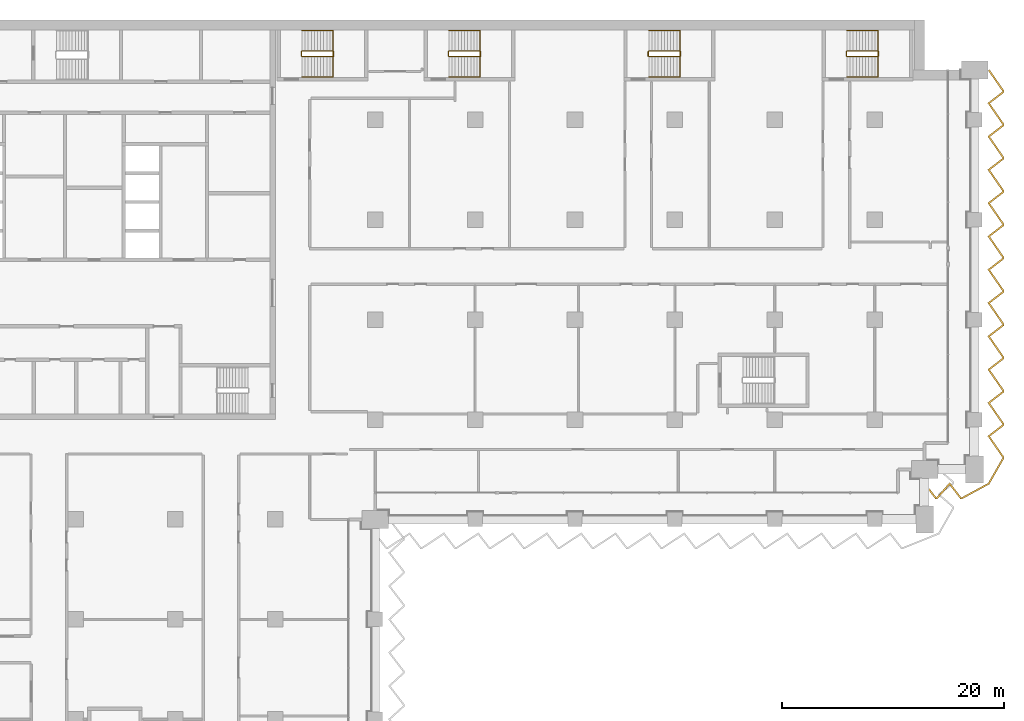
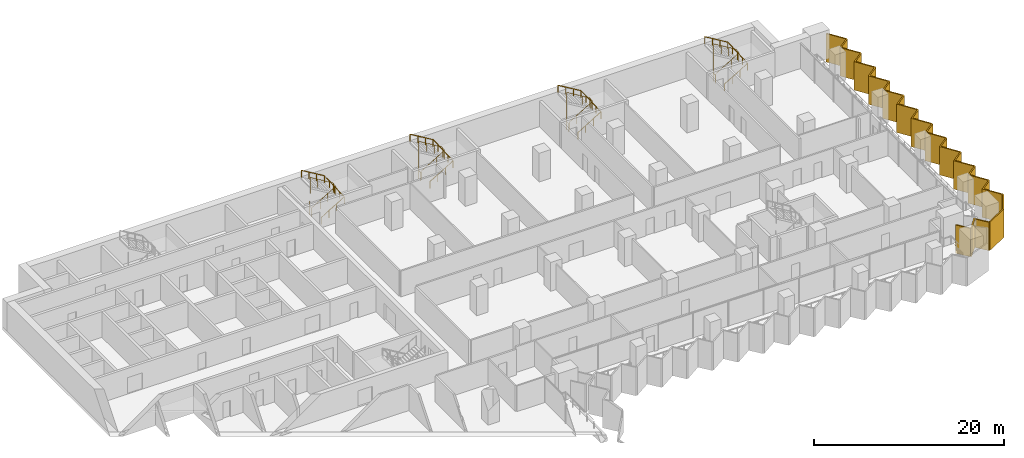
# One storey, part 28 of 29: 8 railings, 1 shading device.
"""IFC4 building model written with IfcOpenShell, lengths in metres."""

from ifc_helpers import new_model, si_unit, direction, frame, origin, origin_2d, place, context, subcontext, project, spatial, polyline, circle, outline, extrude, material, layer, layer_set, type_object, element, save


model = new_model("IFC4")

# Units and contexts
model_context = context("Model", 3, precision=1e-05, world=origin(), true_north=direction((0.0, 1.0)))
body_context = subcontext(model_context, "Body", "Model", "MODEL_VIEW")
ifc_project = project(units=[si_unit("LENGTHUNIT", "METRE"), si_unit("AREAUNIT", "SQUARE_METRE"), si_unit("VOLUMEUNIT", "CUBIC_METRE"), si_unit("PLANEANGLEUNIT", "RADIAN"), si_unit("MASSUNIT", "GRAM", prefix="KILO")], contexts=[model_context])

# Site, building, storey
site_placement = place(None, origin())
site = spatial("IfcSite", under=ifc_project, at=site_placement, CompositionType="ELEMENT")
building_placement = place(site_placement, origin())
building = spatial("IfcBuilding", under=site, at=building_placement, Name="Hunhe Ridgeline Campus", CompositionType="ELEMENT")
storey_placement = place(building_placement, frame((0.0, 0.0, 65.39990234375)))
storey = spatial("IfcBuildingStorey", under=building, at=storey_placement, Name="L15", CompositionType="ELEMENT", Elevation=65.39990234375)

# Shading device
ifc_material_1 = material(Name="Concrete C50", Category="concrete")
ifc_layer = layer(ifc_material_1, 0.14990234375)
ifc_layer_set = layer_set([ifc_layer], Name="Sawtooth concrete fin 150 Concrete C50")
shading_device_type = type_object("IfcShadingDeviceType", Name="Sawtooth concrete fin 150 Concrete C50", PredefinedType="USERDEFINED", material=ifc_layer_set)
shading_device_placement = place(storey_placement, frame((0.0, 0.0, -0.949951171875)))
element("IfcShadingDevice", 1, at=shading_device_placement, inside=storey, type_object=shading_device_type, Name="Concrete fin screen 3", ObjectType="FIN", PredefinedType="USERDEFINED", context=body_context, shape_type="SweptSolid", body=[
    extrude(outline(polyline([(94.559326171875, 57.270751953125), (94.440673828125, 57.17919921875), (95.465087890625, 55.85009765625), (95.65625, 55.85009765625), (96.74658203125, 57.106689453125), (97.715087890625, 55.85009765625), (97.89111328125, 55.85009765625), (100.32958984375, 57.169189453125), (101.64990234375, 59.482177734375), (101.64990234375, 59.6455078125), (100.377197265625, 61.484130859375), (101.64990234375, 62.465087890625), (101.64990234375, 62.6455078125), (100.377197265625, 64.484130859375), (101.64990234375, 65.465087890625), (101.64990234375, 65.6455078125), (100.377197265625, 67.484130859375), (101.64990234375, 68.465087890625), (101.64990234375, 68.6455078125), (100.377197265625, 70.484130859375), (101.64990234375, 71.465087890625), (101.64990234375, 71.6455078125), (100.377197265625, 73.484130859375), (101.64990234375, 74.465087890625), (101.64990234375, 74.6455078125), (100.377197265625, 76.484130859375), (101.64990234375, 77.465087890625), (101.64990234375, 77.6455078125), (100.377197265625, 79.484130859375), (101.64990234375, 80.465087890625), (101.64990234375, 80.6455078125), (100.377197265625, 82.484130859375), (101.64990234375, 83.465087890625), (101.64990234375, 83.6455078125), (100.377197265625, 85.484130859375), (101.64990234375, 86.465087890625), (101.64990234375, 86.6455078125), (100.377197265625, 88.484130859375), (101.64990234375, 89.465087890625), (101.64990234375, 89.6455078125), (100.377197265625, 91.484130859375), (101.64990234375, 92.465087890625), (101.64990234375, 92.6455078125), (100.336669921875, 94.542724609375), (100.21337890625, 94.457275390625), (101.5, 92.5986328125), (101.5, 92.538818359375), (100.1728515625, 91.515869140625), (101.5, 89.5986328125), (101.5, 89.538818359375), (100.1728515625, 88.515869140625), (101.5, 86.5986328125), (101.5, 86.538818359375), (100.1728515625, 85.515869140625), (101.5, 83.5986328125), (101.5, 83.538818359375), (100.1728515625, 82.515869140625), (101.5, 80.5986328125), (101.5, 80.538818359375), (100.1728515625, 79.515869140625), (101.5, 77.5986328125), (101.5, 77.538818359375), (100.1728515625, 76.515869140625), (101.5, 74.5986328125), (101.5, 74.538818359375), (100.1728515625, 73.515869140625), (101.5, 71.5986328125), (101.5, 71.538818359375), (100.1728515625, 70.515869140625), (101.5, 68.5986328125), (101.5, 68.538818359375), (100.1728515625, 67.515869140625), (101.5, 65.5986328125), (101.5, 65.538818359375), (100.1728515625, 64.515869140625), (101.5, 62.5986328125), (101.5, 62.538818359375), (100.1728515625, 61.515869140625), (101.5, 59.5986328125), (101.5, 59.52197265625), (100.220458984375, 57.28076171875), (97.85302734375, 56.0), (97.788818359375, 56.0), (96.75341796875, 57.343505859375), (95.587890625, 56.0), (95.538818359375, 56.0), (94.559326171875, 57.270751953125)])), origin(), (0.0, 0.0, 1.0), 3.650146484375),
])

# Railings
ifc_material_2 = material(Name="Stainless steel balustrade", Category="steel")
railing_type_1 = type_object("IfcRailingType", Name="Stair guard 1100 stainless", PredefinedType="GUARDRAIL", material=ifc_material_2)
railing_1_placement = place(storey_placement, frame((38.39990234375, 95.699951171875, 0.168212890625)))
element("IfcRailing", 2, at=railing_1_placement, inside=storey, type_object=railing_type_1, Name="L15 stair E1 guard", PredefinedType="GUARDRAIL", context=body_context, shape_type="SweptSolid", body=[
    extrude(circle(Radius=0.02392578125, at=origin_2d()), frame((0.0, 0.0, 1.076171875), z_axis=(0.857242210791, 0.0, 0.514913383045), x_axis=(0.0, 1.0, 0.0)), (0.0, 0.0, 1.0), 3.266357421875),
    extrude(circle(Radius=0.02392578125, at=origin_2d()), frame((2.800048828125, 0.0, 2.7578125), z_axis=(0.707106781187, 0.707106781187, 0.0), x_axis=(-0.707106781187, 0.707106781187, 0.0)), (0.0, 0.0, 1.0), 0.07080078125),
    extrude(circle(Radius=0.02392578125, at=origin_2d()), frame((2.85009765625, 0.050048828125, 2.7578125), z_axis=(0.0, 1.0, 0.0), x_axis=(-1.0, 0.0, 0.0)), (0.0, 0.0, 1.0), 0.39990234375),
    extrude(circle(Radius=0.02392578125, at=origin_2d()), frame((2.85009765625, 0.449951171875, 2.7578125), z_axis=(-0.274243871929, 0.274243871929, 0.92172696468), x_axis=(-0.707106781187, -0.707106781187, 0.0)), (0.0, 0.0, 1.0), 0.1826171875),
    extrude(circle(Radius=0.02392578125, at=origin_2d()), frame((2.800048828125, 0.5, 2.92626953125), z_axis=(-0.857242210791, 0.0, 0.514913383045), x_axis=(0.0, -1.0, 0.0)), (0.0, 0.0, 1.0), 3.266357421875),
    extrude(circle(Radius=0.02392578125, at=origin_2d()), frame((0.0, 0.5, 4.60791015625), z_axis=(-0.013457565943, -0.013523534403, -0.999817987404), x_axis=(0.708833529934, -0.705375805398, 0.0)), (0.0, 0.0, 1.0), 3.700927734375),
    extrude(circle(Radius=0.02392578125, at=origin_2d()), frame((-0.0498046875, 0.449951171875, 0.90771484375), z_axis=(0.0, -1.0, 0.0), x_axis=(1.0, 0.0, 0.0)), (0.0, 0.0, 1.0), 0.39990234375),
    extrude(circle(Radius=0.02099609375, at=origin_2d()), origin(), (0.0, 0.0, 1.0), 1.052001953125),
    extrude(circle(Radius=0.02099609375, at=origin_2d()), frame((0.933349609375, 0.0, 0.560546875)), (0.0, 0.0, 1.0), 1.052001953125),
    extrude(circle(Radius=0.02099609375, at=origin_2d()), frame((1.86669921875, 0.0, 1.121337890625)), (0.0, 0.0, 1.0), 1.052001953125),
    extrude(circle(Radius=0.02099609375, at=origin_2d()), frame((2.800048828125, 0.0, 1.681884765625)), (0.0, 0.0, 1.0), 1.052001953125),
    extrude(circle(Radius=0.02099609375, at=origin_2d()), frame((2.85009765625, 0.050048828125, 1.681884765625)), (0.0, 0.0, 1.0), 1.052001953125),
    extrude(circle(Radius=0.02099609375, at=origin_2d()), frame((2.85009765625, 0.449951171875, 1.681884765625)), (0.0, 0.0, 1.0), 1.052001953125),
    extrude(circle(Radius=0.02099609375, at=origin_2d()), frame((2.800048828125, 0.5, 1.85009765625)), (0.0, 0.0, 1.0), 1.052001953125),
    extrude(circle(Radius=0.02099609375, at=origin_2d()), frame((1.86669921875, 0.5, 2.41064453125)), (0.0, 0.0, 1.0), 1.052001953125),
    extrude(circle(Radius=0.02099609375, at=origin_2d()), frame((0.933349609375, 0.5, 2.971435546875)), (0.0, 0.0, 1.0), 1.052001953125),
    extrude(circle(Radius=0.02099609375, at=origin_2d()), frame((0.0, 0.5, 3.531982421875)), (0.0, 0.0, 1.0), 1.052001953125),
    extrude(circle(Radius=0.02099609375, at=origin_2d()), frame((-0.012451171875, 0.487548828125, 2.60693359375)), (0.0, 0.0, 1.0), 1.052001953125),
    extrude(circle(Radius=0.02099609375, at=origin_2d()), frame((-0.02490234375, 0.47509765625, 1.681884765625)), (0.0, 0.0, 1.0), 1.052001953125),
    extrude(circle(Radius=0.02099609375, at=origin_2d()), frame((-0.037353515625, 0.46240234375, 0.7568359375)), (0.0, 0.0, 1.0), 1.052001953125),
    extrude(circle(Radius=0.02099609375, at=origin_2d()), frame((-0.0498046875, 0.449951171875, -0.168212890625)), (0.0, 0.0, 1.0), 1.052001953125),
    extrude(circle(Radius=0.02099609375, at=origin_2d()), frame((-0.0498046875, 0.050048828125, -0.168212890625)), (0.0, 0.0, 1.0), 1.052001953125),
])
railing_2_placement = place(storey_placement, frame((51.64990234375, 95.699951171875, 0.168212890625)))
element("IfcRailing", 3, at=railing_2_placement, inside=storey, type_object=railing_type_1, Name="L15 stair E2 guard", PredefinedType="GUARDRAIL", context=body_context, shape_type="SweptSolid", body=[
    extrude(circle(Radius=0.02392578125, at=origin_2d()), frame((0.0, 0.0, 1.076171875), z_axis=(0.857242210791, 0.0, 0.514913383045), x_axis=(0.0, 1.0, 0.0)), (0.0, 0.0, 1.0), 3.266357421875),
    extrude(circle(Radius=0.02392578125, at=origin_2d()), frame((2.800048828125, 0.0, 2.7578125), z_axis=(0.707106781187, 0.707106781187, 0.0), x_axis=(-0.707106781187, 0.707106781187, 0.0)), (0.0, 0.0, 1.0), 0.07080078125),
    extrude(circle(Radius=0.02392578125, at=origin_2d()), frame((2.85009765625, 0.050048828125, 2.7578125), z_axis=(0.0, 1.0, 0.0), x_axis=(-1.0, 0.0, 0.0)), (0.0, 0.0, 1.0), 0.39990234375),
    extrude(circle(Radius=0.02392578125, at=origin_2d()), frame((2.85009765625, 0.449951171875, 2.7578125), z_axis=(-0.274243871929, 0.274243871929, 0.92172696468), x_axis=(-0.707106781187, -0.707106781187, 0.0)), (0.0, 0.0, 1.0), 0.1826171875),
    extrude(circle(Radius=0.02392578125, at=origin_2d()), frame((2.800048828125, 0.5, 2.92626953125), z_axis=(-0.857242210791, 0.0, 0.514913383045), x_axis=(0.0, -1.0, 0.0)), (0.0, 0.0, 1.0), 3.266357421875),
    extrude(circle(Radius=0.02392578125, at=origin_2d()), frame((0.0, 0.5, 4.60791015625), z_axis=(-0.013457565943, -0.013523534403, -0.999817987404), x_axis=(0.708833529934, -0.705375805398, 0.0)), (0.0, 0.0, 1.0), 3.700927734375),
    extrude(circle(Radius=0.02392578125, at=origin_2d()), frame((-0.0498046875, 0.449951171875, 0.90771484375), z_axis=(0.0, -1.0, 0.0), x_axis=(1.0, 0.0, 0.0)), (0.0, 0.0, 1.0), 0.39990234375),
    extrude(circle(Radius=0.02099609375, at=origin_2d()), origin(), (0.0, 0.0, 1.0), 1.052001953125),
    extrude(circle(Radius=0.02099609375, at=origin_2d()), frame((0.933349609375, 0.0, 0.560546875)), (0.0, 0.0, 1.0), 1.052001953125),
    extrude(circle(Radius=0.02099609375, at=origin_2d()), frame((1.86669921875, 0.0, 1.121337890625)), (0.0, 0.0, 1.0), 1.052001953125),
    extrude(circle(Radius=0.02099609375, at=origin_2d()), frame((2.800048828125, 0.0, 1.681884765625)), (0.0, 0.0, 1.0), 1.052001953125),
    extrude(circle(Radius=0.02099609375, at=origin_2d()), frame((2.85009765625, 0.050048828125, 1.681884765625)), (0.0, 0.0, 1.0), 1.052001953125),
    extrude(circle(Radius=0.02099609375, at=origin_2d()), frame((2.85009765625, 0.449951171875, 1.681884765625)), (0.0, 0.0, 1.0), 1.052001953125),
    extrude(circle(Radius=0.02099609375, at=origin_2d()), frame((2.800048828125, 0.5, 1.85009765625)), (0.0, 0.0, 1.0), 1.052001953125),
    extrude(circle(Radius=0.02099609375, at=origin_2d()), frame((1.86669921875, 0.5, 2.41064453125)), (0.0, 0.0, 1.0), 1.052001953125),
    extrude(circle(Radius=0.02099609375, at=origin_2d()), frame((0.933349609375, 0.5, 2.971435546875)), (0.0, 0.0, 1.0), 1.052001953125),
    extrude(circle(Radius=0.02099609375, at=origin_2d()), frame((0.0, 0.5, 3.531982421875)), (0.0, 0.0, 1.0), 1.052001953125),
    extrude(circle(Radius=0.02099609375, at=origin_2d()), frame((-0.012451171875, 0.487548828125, 2.60693359375)), (0.0, 0.0, 1.0), 1.052001953125),
    extrude(circle(Radius=0.02099609375, at=origin_2d()), frame((-0.02490234375, 0.47509765625, 1.681884765625)), (0.0, 0.0, 1.0), 1.052001953125),
    extrude(circle(Radius=0.02099609375, at=origin_2d()), frame((-0.037353515625, 0.46240234375, 0.7568359375)), (0.0, 0.0, 1.0), 1.052001953125),
    extrude(circle(Radius=0.02099609375, at=origin_2d()), frame((-0.0498046875, 0.449951171875, -0.168212890625)), (0.0, 0.0, 1.0), 1.052001953125),
    extrude(circle(Radius=0.02099609375, at=origin_2d()), frame((-0.0498046875, 0.050048828125, -0.168212890625)), (0.0, 0.0, 1.0), 1.052001953125),
])
railing_3_placement = place(storey_placement, frame((69.64990234375, 95.699951171875, 0.168212890625)))
element("IfcRailing", 4, at=railing_3_placement, inside=storey, type_object=railing_type_1, Name="L15 stair E3 guard", PredefinedType="GUARDRAIL", context=body_context, shape_type="SweptSolid", body=[
    extrude(circle(Radius=0.02392578125, at=origin_2d()), frame((0.0, 0.0, 1.076171875), z_axis=(0.857242210791, 0.0, 0.514913383045), x_axis=(0.0, 1.0, 0.0)), (0.0, 0.0, 1.0), 3.266357421875),
    extrude(circle(Radius=0.02392578125, at=origin_2d()), frame((2.800048828125, 0.0, 2.7578125), z_axis=(0.707106781187, 0.707106781187, 0.0), x_axis=(-0.707106781187, 0.707106781187, 0.0)), (0.0, 0.0, 1.0), 0.07080078125),
    extrude(circle(Radius=0.02392578125, at=origin_2d()), frame((2.85009765625, 0.050048828125, 2.7578125), z_axis=(0.0, 1.0, 0.0), x_axis=(-1.0, 0.0, 0.0)), (0.0, 0.0, 1.0), 0.39990234375),
    extrude(circle(Radius=0.02392578125, at=origin_2d()), frame((2.85009765625, 0.449951171875, 2.7578125), z_axis=(-0.274243871929, 0.274243871929, 0.92172696468), x_axis=(-0.707106781187, -0.707106781187, 0.0)), (0.0, 0.0, 1.0), 0.1826171875),
    extrude(circle(Radius=0.02392578125, at=origin_2d()), frame((2.800048828125, 0.5, 2.92626953125), z_axis=(-0.857242210791, 0.0, 0.514913383045), x_axis=(0.0, -1.0, 0.0)), (0.0, 0.0, 1.0), 3.266357421875),
    extrude(circle(Radius=0.02392578125, at=origin_2d()), frame((0.0, 0.5, 4.60791015625), z_axis=(-0.013457565943, -0.013523534403, -0.999817987404), x_axis=(0.708833529934, -0.705375805398, 0.0)), (0.0, 0.0, 1.0), 3.700927734375),
    extrude(circle(Radius=0.02392578125, at=origin_2d()), frame((-0.0498046875, 0.449951171875, 0.90771484375), z_axis=(0.0, -1.0, 0.0), x_axis=(1.0, 0.0, 0.0)), (0.0, 0.0, 1.0), 0.39990234375),
    extrude(circle(Radius=0.02099609375, at=origin_2d()), origin(), (0.0, 0.0, 1.0), 1.052001953125),
    extrude(circle(Radius=0.02099609375, at=origin_2d()), frame((0.933349609375, 0.0, 0.560546875)), (0.0, 0.0, 1.0), 1.052001953125),
    extrude(circle(Radius=0.02099609375, at=origin_2d()), frame((1.86669921875, 0.0, 1.121337890625)), (0.0, 0.0, 1.0), 1.052001953125),
    extrude(circle(Radius=0.02099609375, at=origin_2d()), frame((2.800048828125, 0.0, 1.681884765625)), (0.0, 0.0, 1.0), 1.052001953125),
    extrude(circle(Radius=0.02099609375, at=origin_2d()), frame((2.85009765625, 0.050048828125, 1.681884765625)), (0.0, 0.0, 1.0), 1.052001953125),
    extrude(circle(Radius=0.02099609375, at=origin_2d()), frame((2.85009765625, 0.449951171875, 1.681884765625)), (0.0, 0.0, 1.0), 1.052001953125),
    extrude(circle(Radius=0.02099609375, at=origin_2d()), frame((2.800048828125, 0.5, 1.85009765625)), (0.0, 0.0, 1.0), 1.052001953125),
    extrude(circle(Radius=0.02099609375, at=origin_2d()), frame((1.86669921875, 0.5, 2.41064453125)), (0.0, 0.0, 1.0), 1.052001953125),
    extrude(circle(Radius=0.02099609375, at=origin_2d()), frame((0.933349609375, 0.5, 2.971435546875)), (0.0, 0.0, 1.0), 1.052001953125),
    extrude(circle(Radius=0.02099609375, at=origin_2d()), frame((0.0, 0.5, 3.531982421875)), (0.0, 0.0, 1.0), 1.052001953125),
    extrude(circle(Radius=0.02099609375, at=origin_2d()), frame((-0.012451171875, 0.487548828125, 2.60693359375)), (0.0, 0.0, 1.0), 1.052001953125),
    extrude(circle(Radius=0.02099609375, at=origin_2d()), frame((-0.02490234375, 0.47509765625, 1.681884765625)), (0.0, 0.0, 1.0), 1.052001953125),
    extrude(circle(Radius=0.02099609375, at=origin_2d()), frame((-0.037353515625, 0.46240234375, 0.7568359375)), (0.0, 0.0, 1.0), 1.052001953125),
    extrude(circle(Radius=0.02099609375, at=origin_2d()), frame((-0.0498046875, 0.449951171875, -0.168212890625)), (0.0, 0.0, 1.0), 1.052001953125),
    extrude(circle(Radius=0.02099609375, at=origin_2d()), frame((-0.0498046875, 0.050048828125, -0.168212890625)), (0.0, 0.0, 1.0), 1.052001953125),
])
railing_4_placement = place(storey_placement, frame((87.5, 95.699951171875, 0.168212890625)))
element("IfcRailing", 5, at=railing_4_placement, inside=storey, type_object=railing_type_1, Name="L15 stair E4 guard", PredefinedType="GUARDRAIL", context=body_context, shape_type="SweptSolid", body=[
    extrude(circle(Radius=0.02392578125, at=origin_2d()), frame((0.0, 0.0, 1.076171875), z_axis=(0.857242210791, 0.0, 0.514913383045), x_axis=(0.0, 1.0, 0.0)), (0.0, 0.0, 1.0), 3.266357421875),
    extrude(circle(Radius=0.02392578125, at=origin_2d()), frame((2.800048828125, 0.0, 2.7578125), z_axis=(0.707106781187, 0.707106781187, 0.0), x_axis=(-0.707106781187, 0.707106781187, 0.0)), (0.0, 0.0, 1.0), 0.07080078125),
    extrude(circle(Radius=0.02392578125, at=origin_2d()), frame((2.85009765625, 0.050048828125, 2.7578125), z_axis=(0.0, 1.0, 0.0), x_axis=(-1.0, 0.0, 0.0)), (0.0, 0.0, 1.0), 0.39990234375),
    extrude(circle(Radius=0.02392578125, at=origin_2d()), frame((2.85009765625, 0.449951171875, 2.7578125), z_axis=(-0.274243871929, 0.274243871929, 0.92172696468), x_axis=(-0.707106781187, -0.707106781187, 0.0)), (0.0, 0.0, 1.0), 0.1826171875),
    extrude(circle(Radius=0.02392578125, at=origin_2d()), frame((2.800048828125, 0.5, 2.92626953125), z_axis=(-0.857242210791, 0.0, 0.514913383045), x_axis=(0.0, -1.0, 0.0)), (0.0, 0.0, 1.0), 3.266357421875),
    extrude(circle(Radius=0.02392578125, at=origin_2d()), frame((0.0, 0.5, 4.60791015625), z_axis=(-0.013523522368, -0.013523522368, -0.999817097616), x_axis=(0.707106781187, -0.707106781187, 0.0)), (0.0, 0.0, 1.0), 3.700927734375),
    extrude(circle(Radius=0.02392578125, at=origin_2d()), frame((-0.050048828125, 0.449951171875, 0.90771484375), z_axis=(0.0, -1.0, 0.0), x_axis=(1.0, 0.0, 0.0)), (0.0, 0.0, 1.0), 0.39990234375),
    extrude(circle(Radius=0.02099609375, at=origin_2d()), origin(), (0.0, 0.0, 1.0), 1.052001953125),
    extrude(circle(Radius=0.02099609375, at=origin_2d()), frame((0.933349609375, 0.0, 0.560546875)), (0.0, 0.0, 1.0), 1.052001953125),
    extrude(circle(Radius=0.02099609375, at=origin_2d()), frame((1.86669921875, 0.0, 1.121337890625)), (0.0, 0.0, 1.0), 1.052001953125),
    extrude(circle(Radius=0.02099609375, at=origin_2d()), frame((2.800048828125, 0.0, 1.681884765625)), (0.0, 0.0, 1.0), 1.052001953125),
    extrude(circle(Radius=0.02099609375, at=origin_2d()), frame((2.85009765625, 0.050048828125, 1.681884765625)), (0.0, 0.0, 1.0), 1.052001953125),
    extrude(circle(Radius=0.02099609375, at=origin_2d()), frame((2.85009765625, 0.449951171875, 1.681884765625)), (0.0, 0.0, 1.0), 1.052001953125),
    extrude(circle(Radius=0.02099609375, at=origin_2d()), frame((2.800048828125, 0.5, 1.85009765625)), (0.0, 0.0, 1.0), 1.052001953125),
    extrude(circle(Radius=0.02099609375, at=origin_2d()), frame((1.86669921875, 0.5, 2.41064453125)), (0.0, 0.0, 1.0), 1.052001953125),
    extrude(circle(Radius=0.02099609375, at=origin_2d()), frame((0.933349609375, 0.5, 2.971435546875)), (0.0, 0.0, 1.0), 1.052001953125),
    extrude(circle(Radius=0.02099609375, at=origin_2d()), frame((0.0, 0.5, 3.531982421875)), (0.0, 0.0, 1.0), 1.052001953125),
    extrude(circle(Radius=0.02099609375, at=origin_2d()), frame((-0.012451171875, 0.487548828125, 2.60693359375)), (0.0, 0.0, 1.0), 1.052001953125),
    extrude(circle(Radius=0.02099609375, at=origin_2d()), frame((-0.02490234375, 0.47509765625, 1.681884765625)), (0.0, 0.0, 1.0), 1.052001953125),
    extrude(circle(Radius=0.02099609375, at=origin_2d()), frame((-0.03759765625, 0.46240234375, 0.7568359375)), (0.0, 0.0, 1.0), 1.052001953125),
    extrude(circle(Radius=0.02099609375, at=origin_2d()), frame((-0.050048828125, 0.449951171875, -0.168212890625)), (0.0, 0.0, 1.0), 1.052001953125),
    extrude(circle(Radius=0.02099609375, at=origin_2d()), frame((-0.050048828125, 0.050048828125, -0.168212890625)), (0.0, 0.0, 1.0), 1.052001953125),
])
ifc_material_3 = material(Name="Stainless steel handrail", Category="steel")
railing_type_2 = type_object("IfcRailingType", Name="Stair handrail 900 stainless", PredefinedType="HANDRAIL", material=ifc_material_3)
railing_5_placement = place(storey_placement, frame((38.39990234375, 93.85009765625, 0.168212890625)))
element("IfcRailing", 6, at=railing_5_placement, inside=storey, type_object=railing_type_2, Name="L15 stair E1 handrail", PredefinedType="HANDRAIL", context=body_context, shape_type="SweptSolid", body=[
    extrude(circle(Radius=0.02392578125, at=origin_2d()), frame((0.0, 0.0, 0.8759765625), z_axis=(0.857242210791, 0.0, 0.514913383045), x_axis=(0.0, 1.0, 0.0)), (0.0, 0.0, 1.0), 3.266357421875),
    extrude(circle(Radius=0.02392578125, at=origin_2d()), frame((2.800048828125, 0.0, 2.5576171875), z_axis=(0.0, 0.999198916169, 0.040019069537), x_axis=(-1.0, 0.0, 0.0)), (0.0, 0.0, 1.0), 4.203369140625),
    extrude(circle(Radius=0.02392578125, at=origin_2d()), frame((2.800048828125, 4.199951171875, 2.72607421875), z_axis=(-0.857242210791, 0.0, 0.514913383045), x_axis=(0.0, -1.0, 0.0)), (0.0, 0.0, 1.0), 3.266357421875),
    extrude(circle(Radius=0.02099609375, at=origin_2d()), origin(), (0.0, 0.0, 1.0), 0.851806640625),
    extrude(circle(Radius=0.02099609375, at=origin_2d()), frame((0.933349609375, 0.0, 0.560546875)), (0.0, 0.0, 1.0), 0.851806640625),
    extrude(circle(Radius=0.02099609375, at=origin_2d()), frame((1.86669921875, 0.0, 1.121337890625)), (0.0, 0.0, 1.0), 0.851806640625),
    extrude(circle(Radius=0.02099609375, at=origin_2d()), frame((2.800048828125, 0.0, 1.681884765625)), (0.0, 0.0, 1.0), 0.851806640625),
    extrude(circle(Radius=0.02099609375, at=origin_2d()), frame((2.800048828125, 1.050048828125, 1.723876953125)), (0.0, 0.0, 1.0), 0.851806640625),
    extrude(circle(Radius=0.02099609375, at=origin_2d()), frame((2.800048828125, 2.10009765625, 1.76611328125)), (0.0, 0.0, 1.0), 0.851806640625),
    extrude(circle(Radius=0.02099609375, at=origin_2d()), frame((2.800048828125, 3.14990234375, 1.80810546875)), (0.0, 0.0, 1.0), 0.851806640625),
    extrude(circle(Radius=0.02099609375, at=origin_2d()), frame((2.800048828125, 4.199951171875, 1.85009765625)), (0.0, 0.0, 1.0), 0.851806640625),
    extrude(circle(Radius=0.02099609375, at=origin_2d()), frame((1.86669921875, 4.199951171875, 2.41064453125)), (0.0, 0.0, 1.0), 0.851806640625),
    extrude(circle(Radius=0.02099609375, at=origin_2d()), frame((0.933349609375, 4.199951171875, 2.971435546875)), (0.0, 0.0, 1.0), 0.851806640625),
    extrude(circle(Radius=0.02099609375, at=origin_2d()), frame((0.0, 4.199951171875, 3.531982421875)), (0.0, 0.0, 1.0), 0.851806640625),
])
railing_6_placement = place(storey_placement, frame((51.64990234375, 93.85009765625, 0.168212890625)))
element("IfcRailing", 7, at=railing_6_placement, inside=storey, type_object=railing_type_2, Name="L15 stair E2 handrail", PredefinedType="HANDRAIL", context=body_context, shape_type="SweptSolid", body=[
    extrude(circle(Radius=0.02392578125, at=origin_2d()), frame((0.0, 0.0, 0.8759765625), z_axis=(0.857242210791, 0.0, 0.514913383045), x_axis=(0.0, 1.0, 0.0)), (0.0, 0.0, 1.0), 3.266357421875),
    extrude(circle(Radius=0.02392578125, at=origin_2d()), frame((2.800048828125, 0.0, 2.5576171875), z_axis=(0.0, 0.999198916169, 0.040019069537), x_axis=(-1.0, 0.0, 0.0)), (0.0, 0.0, 1.0), 4.203369140625),
    extrude(circle(Radius=0.02392578125, at=origin_2d()), frame((2.800048828125, 4.199951171875, 2.72607421875), z_axis=(-0.857242210791, 0.0, 0.514913383045), x_axis=(0.0, -1.0, 0.0)), (0.0, 0.0, 1.0), 3.266357421875),
    extrude(circle(Radius=0.02099609375, at=origin_2d()), origin(), (0.0, 0.0, 1.0), 0.851806640625),
    extrude(circle(Radius=0.02099609375, at=origin_2d()), frame((0.933349609375, 0.0, 0.560546875)), (0.0, 0.0, 1.0), 0.851806640625),
    extrude(circle(Radius=0.02099609375, at=origin_2d()), frame((1.86669921875, 0.0, 1.121337890625)), (0.0, 0.0, 1.0), 0.851806640625),
    extrude(circle(Radius=0.02099609375, at=origin_2d()), frame((2.800048828125, 0.0, 1.681884765625)), (0.0, 0.0, 1.0), 0.851806640625),
    extrude(circle(Radius=0.02099609375, at=origin_2d()), frame((2.800048828125, 1.050048828125, 1.723876953125)), (0.0, 0.0, 1.0), 0.851806640625),
    extrude(circle(Radius=0.02099609375, at=origin_2d()), frame((2.800048828125, 2.10009765625, 1.76611328125)), (0.0, 0.0, 1.0), 0.851806640625),
    extrude(circle(Radius=0.02099609375, at=origin_2d()), frame((2.800048828125, 3.14990234375, 1.80810546875)), (0.0, 0.0, 1.0), 0.851806640625),
    extrude(circle(Radius=0.02099609375, at=origin_2d()), frame((2.800048828125, 4.199951171875, 1.85009765625)), (0.0, 0.0, 1.0), 0.851806640625),
    extrude(circle(Radius=0.02099609375, at=origin_2d()), frame((1.86669921875, 4.199951171875, 2.41064453125)), (0.0, 0.0, 1.0), 0.851806640625),
    extrude(circle(Radius=0.02099609375, at=origin_2d()), frame((0.933349609375, 4.199951171875, 2.971435546875)), (0.0, 0.0, 1.0), 0.851806640625),
    extrude(circle(Radius=0.02099609375, at=origin_2d()), frame((0.0, 4.199951171875, 3.531982421875)), (0.0, 0.0, 1.0), 0.851806640625),
])
railing_7_placement = place(storey_placement, frame((69.64990234375, 93.85009765625, 0.168212890625)))
element("IfcRailing", 8, at=railing_7_placement, inside=storey, type_object=railing_type_2, Name="L15 stair E3 handrail", PredefinedType="HANDRAIL", context=body_context, shape_type="SweptSolid", body=[
    extrude(circle(Radius=0.02392578125, at=origin_2d()), frame((0.0, 0.0, 0.8759765625), z_axis=(0.857242210791, 0.0, 0.514913383045), x_axis=(0.0, 1.0, 0.0)), (0.0, 0.0, 1.0), 3.266357421875),
    extrude(circle(Radius=0.02392578125, at=origin_2d()), frame((2.800048828125, 0.0, 2.5576171875), z_axis=(0.0, 0.999198916169, 0.040019069537), x_axis=(-1.0, 0.0, 0.0)), (0.0, 0.0, 1.0), 4.203369140625),
    extrude(circle(Radius=0.02392578125, at=origin_2d()), frame((2.800048828125, 4.199951171875, 2.72607421875), z_axis=(-0.857242210791, 0.0, 0.514913383045), x_axis=(0.0, -1.0, 0.0)), (0.0, 0.0, 1.0), 3.266357421875),
    extrude(circle(Radius=0.02099609375, at=origin_2d()), origin(), (0.0, 0.0, 1.0), 0.851806640625),
    extrude(circle(Radius=0.02099609375, at=origin_2d()), frame((0.933349609375, 0.0, 0.560546875)), (0.0, 0.0, 1.0), 0.851806640625),
    extrude(circle(Radius=0.02099609375, at=origin_2d()), frame((1.86669921875, 0.0, 1.121337890625)), (0.0, 0.0, 1.0), 0.851806640625),
    extrude(circle(Radius=0.02099609375, at=origin_2d()), frame((2.800048828125, 0.0, 1.681884765625)), (0.0, 0.0, 1.0), 0.851806640625),
    extrude(circle(Radius=0.02099609375, at=origin_2d()), frame((2.800048828125, 1.050048828125, 1.723876953125)), (0.0, 0.0, 1.0), 0.851806640625),
    extrude(circle(Radius=0.02099609375, at=origin_2d()), frame((2.800048828125, 2.10009765625, 1.76611328125)), (0.0, 0.0, 1.0), 0.851806640625),
    extrude(circle(Radius=0.02099609375, at=origin_2d()), frame((2.800048828125, 3.14990234375, 1.80810546875)), (0.0, 0.0, 1.0), 0.851806640625),
    extrude(circle(Radius=0.02099609375, at=origin_2d()), frame((2.800048828125, 4.199951171875, 1.85009765625)), (0.0, 0.0, 1.0), 0.851806640625),
    extrude(circle(Radius=0.02099609375, at=origin_2d()), frame((1.86669921875, 4.199951171875, 2.41064453125)), (0.0, 0.0, 1.0), 0.851806640625),
    extrude(circle(Radius=0.02099609375, at=origin_2d()), frame((0.933349609375, 4.199951171875, 2.971435546875)), (0.0, 0.0, 1.0), 0.851806640625),
    extrude(circle(Radius=0.02099609375, at=origin_2d()), frame((0.0, 4.199951171875, 3.531982421875)), (0.0, 0.0, 1.0), 0.851806640625),
])
railing_8_placement = place(storey_placement, frame((87.5, 93.85009765625, 0.168212890625)))
element("IfcRailing", 9, at=railing_8_placement, inside=storey, type_object=railing_type_2, Name="L15 stair E4 handrail", PredefinedType="HANDRAIL", context=body_context, shape_type="SweptSolid", body=[
    extrude(circle(Radius=0.02392578125, at=origin_2d()), frame((0.0, 0.0, 0.8759765625), z_axis=(0.857242210791, 0.0, 0.514913383045), x_axis=(0.0, 1.0, 0.0)), (0.0, 0.0, 1.0), 3.266357421875),
    extrude(circle(Radius=0.02392578125, at=origin_2d()), frame((2.800048828125, 0.0, 2.5576171875), z_axis=(0.0, 0.999198916169, 0.040019069537), x_axis=(-1.0, 0.0, 0.0)), (0.0, 0.0, 1.0), 4.203369140625),
    extrude(circle(Radius=0.02392578125, at=origin_2d()), frame((2.800048828125, 4.199951171875, 2.72607421875), z_axis=(-0.857242210791, 0.0, 0.514913383045), x_axis=(0.0, -1.0, 0.0)), (0.0, 0.0, 1.0), 3.266357421875),
    extrude(circle(Radius=0.02099609375, at=origin_2d()), origin(), (0.0, 0.0, 1.0), 0.851806640625),
    extrude(circle(Radius=0.02099609375, at=origin_2d()), frame((0.933349609375, 0.0, 0.560546875)), (0.0, 0.0, 1.0), 0.851806640625),
    extrude(circle(Radius=0.02099609375, at=origin_2d()), frame((1.86669921875, 0.0, 1.121337890625)), (0.0, 0.0, 1.0), 0.851806640625),
    extrude(circle(Radius=0.02099609375, at=origin_2d()), frame((2.800048828125, 0.0, 1.681884765625)), (0.0, 0.0, 1.0), 0.851806640625),
    extrude(circle(Radius=0.02099609375, at=origin_2d()), frame((2.800048828125, 1.050048828125, 1.723876953125)), (0.0, 0.0, 1.0), 0.851806640625),
    extrude(circle(Radius=0.02099609375, at=origin_2d()), frame((2.800048828125, 2.10009765625, 1.76611328125)), (0.0, 0.0, 1.0), 0.851806640625),
    extrude(circle(Radius=0.02099609375, at=origin_2d()), frame((2.800048828125, 3.14990234375, 1.80810546875)), (0.0, 0.0, 1.0), 0.851806640625),
    extrude(circle(Radius=0.02099609375, at=origin_2d()), frame((2.800048828125, 4.199951171875, 1.85009765625)), (0.0, 0.0, 1.0), 0.851806640625),
    extrude(circle(Radius=0.02099609375, at=origin_2d()), frame((1.86669921875, 4.199951171875, 2.41064453125)), (0.0, 0.0, 1.0), 0.851806640625),
    extrude(circle(Radius=0.02099609375, at=origin_2d()), frame((0.933349609375, 4.199951171875, 2.971435546875)), (0.0, 0.0, 1.0), 0.851806640625),
    extrude(circle(Radius=0.02099609375, at=origin_2d()), frame((0.0, 4.199951171875, 3.531982421875)), (0.0, 0.0, 1.0), 0.851806640625),
])

save(model, "model.ifc")
